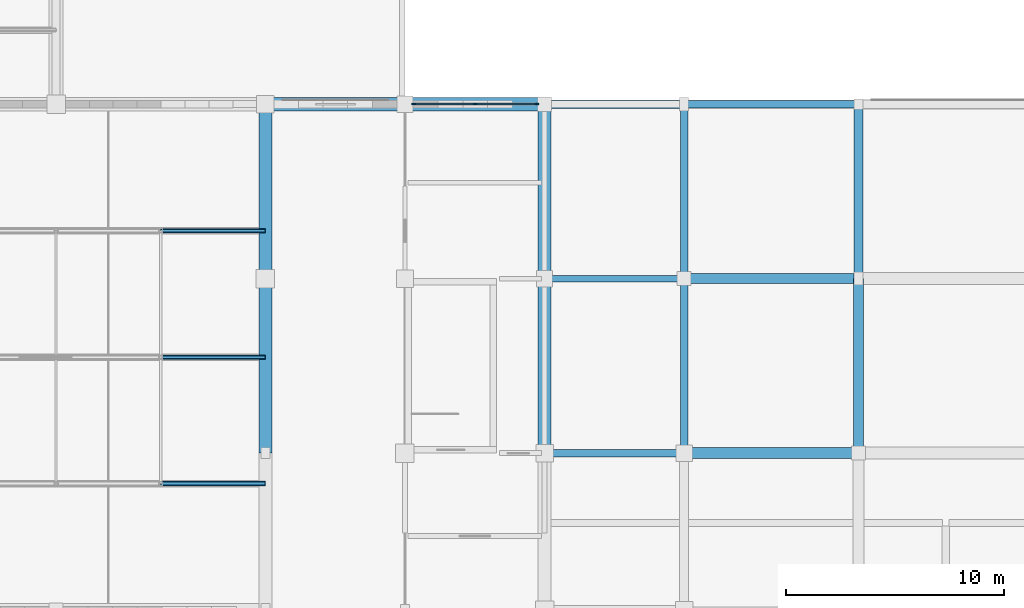
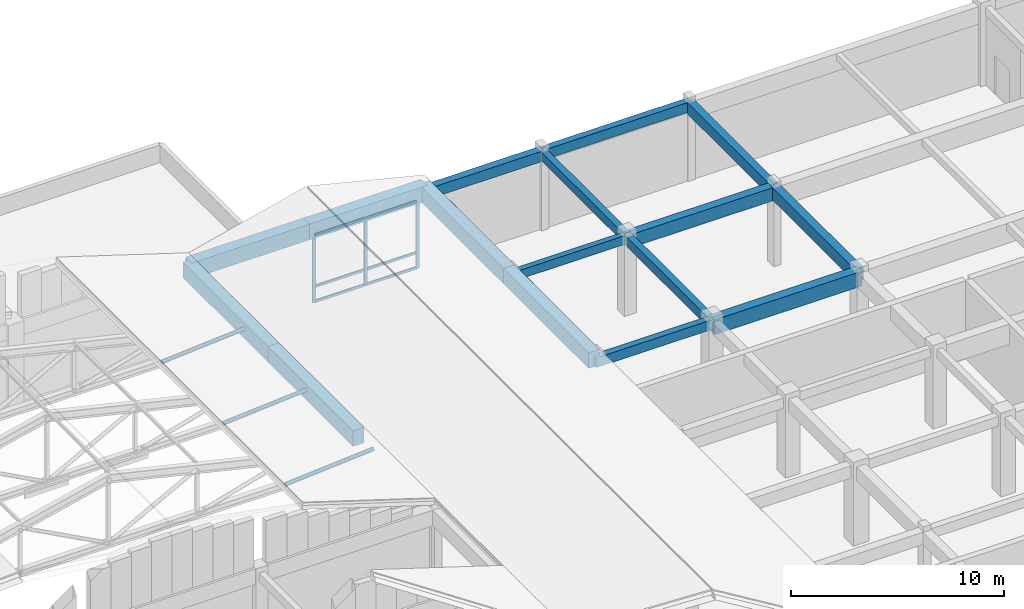
# One storey, part 22 of 61: 16 beams, 12 members, 1 element without a shape of its own.
"""IFC4 building model written with IfcOpenShell, lengths in metres."""

from ifc_helpers import new_model, si_unit, direction, frame, origin, origin_2d, place, context, subcontext, project, spatial, rectangle, hollow_circle, extrude, material, material_profile, profile_set, type_object, element, aggregate, save


model = new_model("IFC4")

# Units and contexts
model_context = context("Model", 3, precision=1e-05, world=origin(), true_north=direction((0.0, 1.0)))
body_context = subcontext(model_context, "Body", "Model", "MODEL_VIEW")
ifc_project = project(units=[si_unit("LENGTHUNIT", "METRE"), si_unit("AREAUNIT", "SQUARE_METRE"), si_unit("VOLUMEUNIT", "CUBIC_METRE"), si_unit("PLANEANGLEUNIT", "RADIAN"), si_unit("MASSUNIT", "GRAM", prefix="KILO")], contexts=[model_context])

# Site, building, storey
site_placement = place(None, origin())
site = spatial("IfcSite", under=ifc_project, at=site_placement, CompositionType="ELEMENT")
building_placement = place(site_placement, origin())
building = spatial("IfcBuilding", under=site, at=building_placement, Name="Vellmiral Cinema and Media Centre", CompositionType="ELEMENT")
storey_placement = place(building_placement, frame((0.0, 0.0, 10.800048828125)))
storey = spatial("IfcBuildingStorey", under=building, at=storey_placement, Name="L02", CompositionType="ELEMENT", Elevation=10.800048828125)

# Beams
ifc_material_1 = material(Name="Concrete C40/50", Category="concrete")
ifc_material_profile_1 = material_profile(ifc_material_1, rectangle(XDim=0.300048828125, YDim=0.5, at=origin_2d()), Name="RC 300x500")
ifc_profile_set_1 = profile_set([ifc_material_profile_1], Name="Concrete C40/50")
beam_type_1 = type_object("IfcBeamType", Name="BM-RC-300x500", PredefinedType="BEAM", material=ifc_profile_set_1)
beam_1_placement = place(storey_placement, frame((48.0, 87.199951171875, 4.244873046875), z_axis=(1.0, 0.0, 0.0), x_axis=(0.0, 1.0, 0.0)))
element("IfcBeam", 1, at=beam_1_placement, inside=storey, type_object=beam_type_1, Name="Grid Beam L02-X060", PredefinedType="BEAM", context=body_context, shape_type="SweptSolid", body=[
    extrude(rectangle(XDim=0.300048828125, YDim=0.5, at=origin_2d()), origin(), (0.0, 0.0, 1.0), 6.39990234375),
])
ifc_material_2 = material(Name="Concrete C40/50", Category="concrete")
ifc_material_profile_2 = material_profile(ifc_material_2, rectangle(XDim=0.35009765625, YDim=0.5, at=origin_2d()), Name="RC 350x500")
ifc_profile_set_2 = profile_set([ifc_material_profile_2], Name="Concrete C40/50")
beam_type_2 = type_object("IfcBeamType", Name="BM-RC-350x500", PredefinedType="BEAM", material=ifc_profile_set_2)
beam_2_placement = place(storey_placement, frame((54.39990234375, 87.199951171875, 4.244873046875), z_axis=(0.0, 1.0, 0.0), x_axis=(-1.0, 0.0, 0.0)))
element("IfcBeam", 2, at=beam_2_placement, inside=storey, type_object=beam_type_2, Name="Grid Beam L02-Y111", PredefinedType="BEAM", context=body_context, shape_type="SweptSolid", body=[
    extrude(rectangle(XDim=0.35009765625, YDim=0.5, at=origin_2d()), origin(), (0.0, 0.0, 1.0), 8.0),
])
ifc_material_3 = material(Name="Concrete C40/50", Category="concrete")
ifc_material_profile_3 = material_profile(ifc_material_3, rectangle(XDim=0.35009765625, YDim=0.550048828125, at=origin_2d()), Name="RC 350x550")
ifc_profile_set_3 = profile_set([ifc_material_profile_3], Name="Concrete C40/50")
beam_type_3 = type_object("IfcBeamType", Name="BM-RC-350x550", PredefinedType="BEAM", material=ifc_profile_set_3)
beam_3_placement = place(storey_placement, frame((48.0, 79.199951171875, 4.219970703125), z_axis=(1.0, 0.0, 0.0), x_axis=(0.0, 1.0, 0.0)))
element("IfcBeam", 3, at=beam_3_placement, inside=storey, type_object=beam_type_3, Name="Grid Beam L02-X047", PredefinedType="BEAM", context=body_context, shape_type="SweptSolid", body=[
    extrude(rectangle(XDim=0.35009765625, YDim=0.550048828125, at=origin_2d()), origin(), (0.0, 0.0, 1.0), 6.39990234375),
])
beam_4_placement = place(storey_placement, frame((54.39990234375, 79.199951171875, 4.219970703125), z_axis=(0.0, 1.0, 0.0), x_axis=(-1.0, 0.0, 0.0)))
element("IfcBeam", 4, at=beam_4_placement, inside=storey, type_object=beam_type_3, Name="Grid Beam L02-Y110", PredefinedType="BEAM", context=body_context, shape_type="SweptSolid", body=[
    extrude(rectangle(XDim=0.35009765625, YDim=0.550048828125, at=origin_2d()), origin(), (0.0, 0.0, 1.0), 8.0),
])
ifc_material_4 = material(Name="Concrete C40/50", Category="concrete")
ifc_material_profile_4 = material_profile(ifc_material_4, rectangle(XDim=0.39990234375, YDim=0.64990234375, at=origin_2d()), Name="RC 400x650")
ifc_profile_set_4 = profile_set([ifc_material_profile_4], Name="Concrete C40/50")
beam_type_4 = type_object("IfcBeamType", Name="BM-RC-400x650", PredefinedType="BEAM", material=ifc_profile_set_4)
beam_5_placement = place(storey_placement, frame((62.39990234375, 87.199951171875, 4.169921875), z_axis=(0.0, 1.0, 0.0), x_axis=(-1.0, 0.0, 0.0)))
element("IfcBeam", 5, at=beam_5_placement, inside=storey, type_object=beam_type_4, Name="Grid Beam L02-Y118", PredefinedType="BEAM", context=body_context, shape_type="SweptSolid", body=[
    extrude(rectangle(XDim=0.39990234375, YDim=0.64990234375, at=origin_2d()), origin(), (0.0, 0.0, 1.0), 8.0),
])
ifc_material_5 = material(Name="Concrete C40/50", Category="concrete")
ifc_material_profile_5 = material_profile(ifc_material_5, rectangle(XDim=0.449951171875, YDim=0.699951171875, at=origin_2d()), Name="RC 450x700")
ifc_profile_set_5 = profile_set([ifc_material_profile_5], Name="Concrete C40/50")
beam_type_5 = type_object("IfcBeamType", Name="BM-RC-450x700", PredefinedType="BEAM", material=ifc_profile_set_5)
beam_6_placement = place(storey_placement, frame((62.39990234375, 79.199951171875, 4.14501953125), z_axis=(0.0, 1.0, 0.0), x_axis=(-1.0, 0.0, 0.0)))
element("IfcBeam", 6, at=beam_6_placement, inside=storey, type_object=beam_type_5, Name="Grid Beam L02-Y117", PredefinedType="BEAM", context=body_context, shape_type="SweptSolid", body=[
    extrude(rectangle(XDim=0.449951171875, YDim=0.699951171875, at=origin_2d()), origin(), (0.0, 0.0, 1.0), 8.0),
])
ifc_material_6 = material(Name="Concrete C40/50", Category="concrete")
ifc_material_profile_6 = material_profile(ifc_material_6, rectangle(XDim=0.449951171875, YDim=0.75, at=origin_2d()), Name="RC 450x750")
ifc_profile_set_6 = profile_set([ifc_material_profile_6], Name="Concrete C40/50")
beam_type_6 = type_object("IfcBeamType", Name="BM-RC-450x750", PredefinedType="BEAM", material=ifc_profile_set_6)
beam_7_placement = place(storey_placement, frame((54.39990234375, 87.199951171875, 4.119873046875), z_axis=(1.0, 0.0, 0.0), x_axis=(0.0, 1.0, 0.0)))
element("IfcBeam", 7, at=beam_7_placement, inside=storey, type_object=beam_type_6, Name="Grid Beam L02-X061", PredefinedType="BEAM", context=body_context, shape_type="SweptSolid", body=[
    extrude(rectangle(XDim=0.449951171875, YDim=0.75, at=origin_2d()), origin(), (0.0, 0.0, 1.0), 8.0),
])
ifc_material_7 = material(Name="Concrete C40/50", Category="concrete")
ifc_material_profile_7 = material_profile(ifc_material_7, rectangle(XDim=0.5, YDim=0.85009765625, at=origin_2d()), Name="RC 500x850")
ifc_profile_set_7 = profile_set([ifc_material_profile_7], Name="Concrete C40/50")
beam_type_7 = type_object("IfcBeamType", Name="BM-RC-500x850", PredefinedType="BEAM", material=ifc_profile_set_7)
beam_8_placement = place(storey_placement, frame((54.39990234375, 79.199951171875, 4.070068359375), z_axis=(1.0, 0.0, 0.0), x_axis=(0.0, 1.0, 0.0)))
element("IfcBeam", 8, at=beam_8_placement, inside=storey, type_object=beam_type_7, Name="Grid Beam L02-X048", PredefinedType="BEAM", context=body_context, shape_type="SweptSolid", body=[
    extrude(rectangle(XDim=0.5, YDim=0.85009765625, at=origin_2d()), origin(), (0.0, 0.0, 1.0), 8.0),
])

# Curtain wall, members
ifc_material_8 = material(Name="Thermally Broken Aluminium and Triple Glazing", Category="aluminium")
curtain_wall_type = type_object("IfcCurtainWallType", Name="CW-LIB-BAY", PredefinedType="USERDEFINED", material=ifc_material_8)
curtain_wall_placement = place(storey_placement, origin())
curtain_wall = element("IfcCurtainWall", 9, at=curtain_wall_placement, inside=storey, type_object=curtain_wall_type, Name="Curtain Wall L02-B067", ObjectType="STICK CURTAIN WALL", PredefinedType="USERDEFINED")
ifc_material_9 = material(Name="Thermally Broken Anodised Aluminium", Category="aluminium")
ifc_material_profile_8 = material_profile(ifc_material_9, rectangle(XDim=0.070068359375, YDim=0.179931640625, at=origin_2d()), Name="MULL 70x180")
ifc_profile_set_8 = profile_set([ifc_material_profile_8], Name="Thermally Broken Anodised Aluminium")
member_type_1 = type_object("IfcMemberType", Name="CWM-70x180", PredefinedType="MULLION", material=ifc_profile_set_8)
member_1_placement = place(storey_placement, frame((47.639892578125, 95.199951171875, 0.0), z_axis=(0.0, 0.0, 1.0), x_axis=(0.0, -1.0, 0.0)))
member_1 = element("IfcMember", 10, at=member_1_placement, type_object=member_type_1, Name="CW-03 mullion 1", PredefinedType="MULLION", context=body_context, shape_type="SweptSolid", body=[
    extrude(rectangle(XDim=0.070068359375, YDim=0.179931640625, at=origin_2d()), origin(), (0.0, 0.0, 1.0), 3.889892578125),
])
member_2_placement = place(storey_placement, frame((44.824951171875, 95.199951171875, 0.0), z_axis=(0.0, 0.0, 1.0), x_axis=(0.0, -1.0, 0.0)))
member_2 = element("IfcMember", 11, at=member_2_placement, type_object=member_type_1, Name="CW-03 mullion 2", PredefinedType="MULLION", context=body_context, shape_type="SweptSolid", body=[
    extrude(rectangle(XDim=0.070068359375, YDim=0.179931640625, at=origin_2d()), origin(), (0.0, 0.0, 1.0), 3.889892578125),
])
member_3_placement = place(storey_placement, frame((42.010009765625, 95.199951171875, 0.0), z_axis=(0.0, 0.0, 1.0), x_axis=(0.0, -1.0, 0.0)))
member_3 = element("IfcMember", 12, at=member_3_placement, type_object=member_type_1, Name="CW-03 mullion 3", PredefinedType="MULLION", context=body_context, shape_type="SweptSolid", body=[
    extrude(rectangle(XDim=0.070068359375, YDim=0.179931640625, at=origin_2d()), origin(), (0.0, 0.0, 1.0), 3.889892578125),
])
ifc_material_10 = material(Name="Thermally Broken Anodised Aluminium", Category="aluminium")
ifc_material_profile_9 = material_profile(ifc_material_10, rectangle(XDim=0.070068359375, YDim=0.14990234375, at=origin_2d()), Name="MULL 70x150")
ifc_profile_set_9 = profile_set([ifc_material_profile_9], Name="Thermally Broken Anodised Aluminium")
member_type_2 = type_object("IfcMemberType", Name="CWT-70x150", PredefinedType="USERDEFINED", material=ifc_profile_set_9)
member_4_placement = place(storey_placement, frame((47.60498046875, 95.199951171875, 0.034912109375), z_axis=(-1.0, 0.0, 0.0), x_axis=(0.0, -1.0, 0.0)))
member_4 = element("IfcMember", 13, at=member_4_placement, type_object=member_type_2, Name="CW-03 transom 1.1", ObjectType="TRANSOM", PredefinedType="USERDEFINED", context=body_context, shape_type="SweptSolid", body=[
    extrude(rectangle(XDim=0.070068359375, YDim=0.14990234375, at=origin_2d()), origin(), (0.0, 0.0, 1.0), 2.744873046875),
])
member_5_placement = place(storey_placement, frame((47.60498046875, 95.199951171875, 0.89990234375), z_axis=(-1.0, 0.0, 0.0), x_axis=(0.0, -1.0, 0.0)))
member_5 = element("IfcMember", 14, at=member_5_placement, type_object=member_type_2, Name="CW-03 transom 1.2", ObjectType="TRANSOM", PredefinedType="USERDEFINED", context=body_context, shape_type="SweptSolid", body=[
    extrude(rectangle(XDim=0.070068359375, YDim=0.14990234375, at=origin_2d()), origin(), (0.0, 0.0, 1.0), 2.744873046875),
])
member_6_placement = place(storey_placement, frame((47.60498046875, 95.199951171875, 3.85498046875), z_axis=(-1.0, 0.0, 0.0), x_axis=(0.0, -1.0, 0.0)))
member_6 = element("IfcMember", 15, at=member_6_placement, type_object=member_type_2, Name="CW-03 transom 1.3", ObjectType="TRANSOM", PredefinedType="USERDEFINED", context=body_context, shape_type="SweptSolid", body=[
    extrude(rectangle(XDim=0.070068359375, YDim=0.14990234375, at=origin_2d()), origin(), (0.0, 0.0, 1.0), 2.744873046875),
])
member_7_placement = place(storey_placement, frame((44.7900390625, 95.199951171875, 0.034912109375), z_axis=(-1.0, 0.0, 0.0), x_axis=(0.0, -1.0, 0.0)))
member_7 = element("IfcMember", 16, at=member_7_placement, type_object=member_type_2, Name="CW-03 transom 2.1", ObjectType="TRANSOM", PredefinedType="USERDEFINED", context=body_context, shape_type="SweptSolid", body=[
    extrude(rectangle(XDim=0.070068359375, YDim=0.14990234375, at=origin_2d()), origin(), (0.0, 0.0, 1.0), 2.7451171875),
])
member_8_placement = place(storey_placement, frame((44.7900390625, 95.199951171875, 0.89990234375), z_axis=(-1.0, 0.0, 0.0), x_axis=(0.0, -1.0, 0.0)))
member_8 = element("IfcMember", 17, at=member_8_placement, type_object=member_type_2, Name="CW-03 transom 2.2", ObjectType="TRANSOM", PredefinedType="USERDEFINED", context=body_context, shape_type="SweptSolid", body=[
    extrude(rectangle(XDim=0.070068359375, YDim=0.14990234375, at=origin_2d()), origin(), (0.0, 0.0, 1.0), 2.7451171875),
])
member_9_placement = place(storey_placement, frame((44.7900390625, 95.199951171875, 3.85498046875), z_axis=(-1.0, 0.0, 0.0), x_axis=(0.0, -1.0, 0.0)))
member_9 = element("IfcMember", 18, at=member_9_placement, type_object=member_type_2, Name="CW-03 transom 2.3", ObjectType="TRANSOM", PredefinedType="USERDEFINED", context=body_context, shape_type="SweptSolid", body=[
    extrude(rectangle(XDim=0.070068359375, YDim=0.14990234375, at=origin_2d()), origin(), (0.0, 0.0, 1.0), 2.7451171875),
])
aggregate(curtain_wall, [member_1, member_2, member_3, member_4, member_5, member_6, member_7, member_8, member_9])

# Beams
ifc_material_11 = material(Name="Concrete C40/50", Category="concrete")
ifc_material_profile_10 = material_profile(ifc_material_11, rectangle(XDim=0.60009765625, YDim=0.89990234375, at=origin_2d()), Name="RC 600x900")
ifc_profile_set_10 = profile_set([ifc_material_profile_10], Name="Concrete C40/50")
beam_type_8 = type_object("IfcBeamType", Name="RING-BM-600x900", PredefinedType="BEAM", material=ifc_profile_set_10)
for number, where, z_axis, x_axis, name in (
    (19, (35.199951171875, 79.199951171875, 4.349853515625), (0.0, 1.0, 0.0), (-1.0, 0.0, 0.0), "Cinema Screen 3 Ring Beam 11"),
    (20, (35.199951171875, 87.199951171875, 4.349853515625), (0.0, 1.0, 0.0), (-1.0, 0.0, 0.0), "Cinema Screen 3 Ring Beam 12"),
):
    element("IfcBeam", number, at=place(storey_placement, frame(where, z_axis=z_axis, x_axis=x_axis)), inside=storey, type_object=beam_type_8, Name=name, PredefinedType="BEAM", context=body_context, shape_type="SweptSolid", body=[
        extrude(rectangle(XDim=0.60009765625, YDim=0.89990234375, at=origin_2d()), origin(), (0.0, 0.0, 1.0), 8.0),
    ])
beam_9_placement = place(storey_placement, frame((35.199951171875, 95.199951171875, 4.349853515625), z_axis=(1.0, 0.0, 0.0), x_axis=(0.0, 1.0, 0.0)))
element("IfcBeam", 21, at=beam_9_placement, inside=storey, type_object=beam_type_8, Name="West Premiere Concourse Gallery Vault Ring Beam 03", PredefinedType="BEAM", context=body_context, shape_type="SweptSolid", body=[
    extrude(rectangle(XDim=0.60009765625, YDim=0.89990234375, at=origin_2d()), origin(), (0.0, 0.0, 1.0), 6.400146484375),
])
beam_10_placement = place(storey_placement, frame((41.60009765625, 95.199951171875, 4.349853515625), z_axis=(1.0, 0.0, 0.0), x_axis=(0.0, 1.0, 0.0)))
element("IfcBeam", 22, at=beam_10_placement, inside=storey, type_object=beam_type_8, Name="West Premiere Concourse Gallery Vault Ring Beam 04", PredefinedType="BEAM", context=body_context, shape_type="SweptSolid", body=[
    extrude(rectangle(XDim=0.60009765625, YDim=0.89990234375, at=origin_2d()), origin(), (0.0, 0.0, 1.0), 6.39990234375),
])
for number, where, z_axis, x_axis, name in (
    (23, (48.0, 79.199951171875, 4.349853515625), (0.0, 1.0, 0.0), (-1.0, 0.0, 0.0), "West Premiere Concourse Gallery Vault Ring Beam 15"),
    (24, (48.0, 87.199951171875, 4.349853515625), (0.0, 1.0, 0.0), (-1.0, 0.0, 0.0), "West Premiere Concourse Gallery Vault Ring Beam 16"),
):
    element("IfcBeam", number, at=place(storey_placement, frame(where, z_axis=z_axis, x_axis=x_axis)), inside=storey, type_object=beam_type_8, Name=name, PredefinedType="BEAM", context=body_context, shape_type="SweptSolid", body=[
        extrude(rectangle(XDim=0.60009765625, YDim=0.89990234375, at=origin_2d()), origin(), (0.0, 0.0, 1.0), 8.0),
    ])
ifc_material_12 = material(Name="Concrete C40/50", Category="concrete")
ifc_material_profile_11 = material_profile(ifc_material_12, rectangle(XDim=0.35009765625, YDim=0.56005859375, at=origin_2d()), Name="RC 350x560")
ifc_profile_set_11 = profile_set([ifc_material_profile_11], Name="Concrete C40/50")
beam_type_9 = type_object("IfcBeamType", Name="SPD-RC-350x560", PredefinedType="SPANDREL", material=ifc_profile_set_11)
beam_11_placement = place(storey_placement, frame((54.39990234375, 95.199951171875, 4.21484375), z_axis=(1.0, 0.0, 0.0), x_axis=(0.0, 1.0, 0.0)))
element("IfcBeam", 25, at=beam_11_placement, inside=storey, type_object=beam_type_9, Name="Grid Beam L02-X074", PredefinedType="SPANDREL", context=body_context, shape_type="SweptSolid", body=[
    extrude(rectangle(XDim=0.35009765625, YDim=0.56005859375, at=origin_2d()), origin(), (0.0, 0.0, 1.0), 8.0),
])
ifc_material_13 = material(Name="Concrete C40/50", Category="concrete")
ifc_material_profile_12 = material_profile(ifc_material_13, rectangle(XDim=0.39990234375, YDim=0.60009765625, at=origin_2d()), Name="RC 400x600")
ifc_profile_set_12 = profile_set([ifc_material_profile_12], Name="Concrete C40/50")
beam_type_10 = type_object("IfcBeamType", Name="SPD-RC-400x600", PredefinedType="SPANDREL", material=ifc_profile_set_12)
beam_12_placement = place(storey_placement, frame((48.0, 95.199951171875, 4.195068359375), z_axis=(1.0, 0.0, 0.0), x_axis=(0.0, 1.0, 0.0)))
element("IfcBeam", 26, at=beam_12_placement, inside=storey, type_object=beam_type_10, Name="Grid Beam L02-X073", PredefinedType="SPANDREL", context=body_context, shape_type="SweptSolid", body=[
    extrude(rectangle(XDim=0.39990234375, YDim=0.60009765625, at=origin_2d()), origin(), (0.0, 0.0, 1.0), 6.39990234375),
])

# Members
ifc_material_14 = material(Name="Steel S355", Category="steel")
ifc_material_profile_13 = material_profile(ifc_material_14, hollow_circle(Radius=0.109619140625, WallThickness=0.010009765625, at=origin_2d()), Name="CHS 219.1x10.0")
ifc_profile_set_13 = profile_set([ifc_material_profile_13], Name="Steel S355")
member_type_3 = type_object("IfcMemberType", Name="TBR-CHS219", PredefinedType="BRACE", material=ifc_profile_set_13)
for number, where, z_axis, x_axis, name in (
    (27, (30.39990234375, 77.800048828125, 4.14990234375), (0.997040448581, 0.0, 0.076878761001), (0.0, 1.0, 0.0), "Roof Truss TR-03.1 Diagonal 6"),
    (28, (30.39990234375, 83.60009765625, 4.14990234375), (0.997040448581, 0.0, 0.076878761001), (0.0, 1.0, 0.0), "Roof Truss TR-03.2 Diagonal 6"),
    (29, (30.39990234375, 89.39990234375, 4.14990234375), (0.997040448581, 0.0, 0.076878761001), (0.0, 1.0, 0.0), "Roof Truss TR-03.3 Diagonal 6"),
):
    element("IfcMember", number, at=place(storey_placement, frame(where, z_axis=z_axis, x_axis=x_axis)), inside=storey, type_object=member_type_3, Name=name, PredefinedType="BRACE", context=body_context, shape_type="SweptSolid", body=[
        extrude(hollow_circle(Radius=0.109619140625, WallThickness=0.010009765625, at=origin_2d()), origin(), (0.0, 0.0, 1.0), 4.814208984375),
    ])

save(model, "model.ifc")
